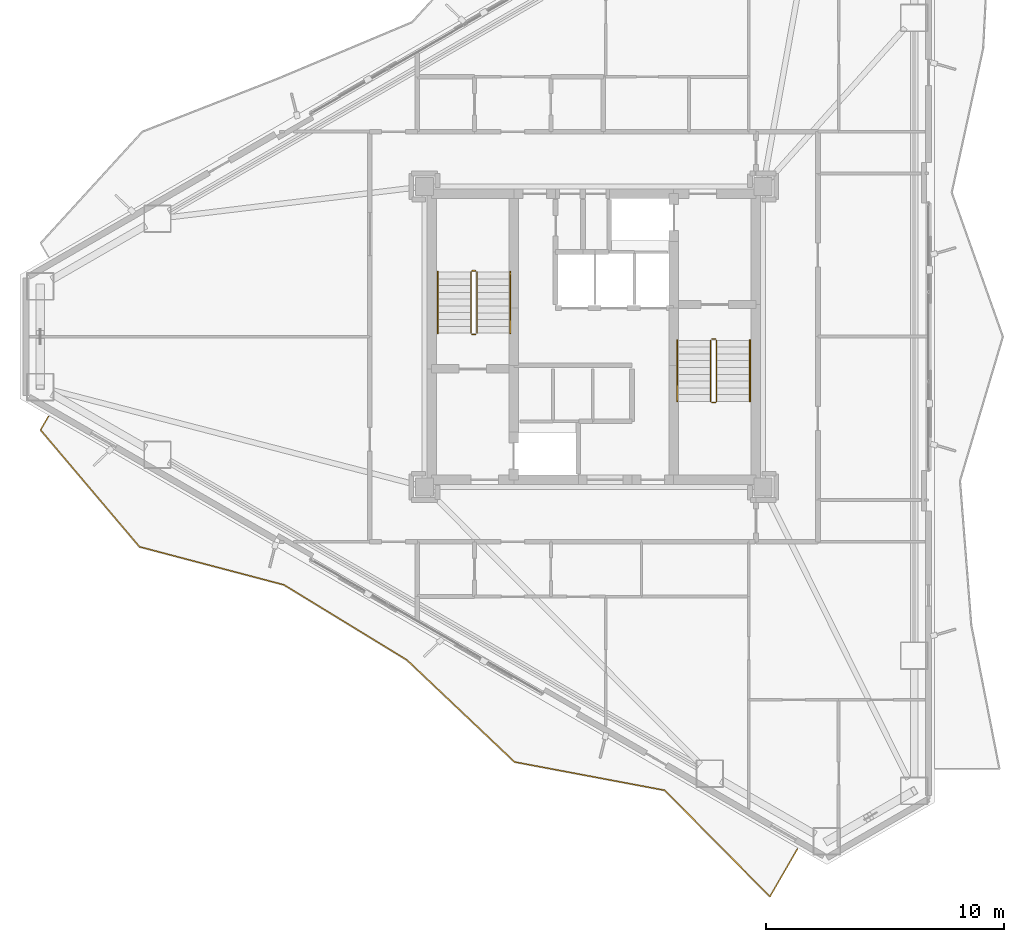
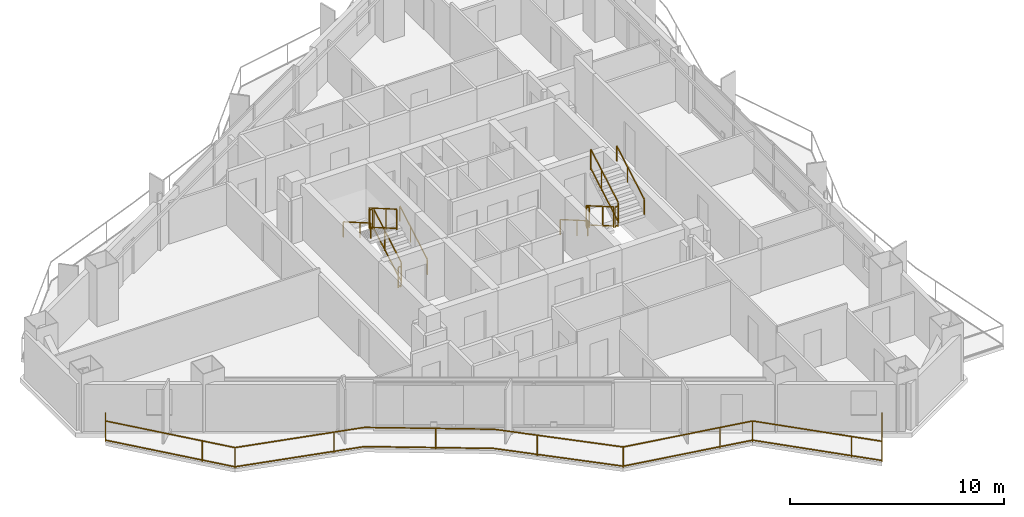
# One storey, part 21 of 22: 13 railings.
"""IFC4 building model written with IfcOpenShell, lengths in metres."""

from ifc_helpers import new_model, si_unit, direction, frame, origin, origin_2d, place, context, subcontext, project, spatial, rectangle, extrude, material, type_object, element, save


model = new_model("IFC4")

# Units and contexts
model_context = context("Model", 3, precision=1e-05, world=origin(), true_north=direction((0.0, 1.0)))
body_context = subcontext(model_context, "Body", "Model", "MODEL_VIEW")
ifc_project = project(units=[si_unit("LENGTHUNIT", "METRE"), si_unit("AREAUNIT", "SQUARE_METRE"), si_unit("VOLUMEUNIT", "CUBIC_METRE"), si_unit("PLANEANGLEUNIT", "RADIAN"), si_unit("MASSUNIT", "GRAM", prefix="KILO")], contexts=[model_context])

# Site, building, storey
site_placement = place(None, origin())
site = spatial("IfcSite", under=ifc_project, at=site_placement, CompositionType="ELEMENT")
building_placement = place(site_placement, origin())
building = spatial("IfcBuilding", under=site, at=building_placement, Name="Mersakhor Tower and Convention Hall", CompositionType="ELEMENT")
storey_placement = place(building_placement, frame((0.0, 0.0, 109.800048828125)))
storey = spatial("IfcBuildingStorey", under=building, at=storey_placement, Name="L30", CompositionType="ELEMENT", Elevation=109.800048828125)

# Railings
ifc_material_1 = material(Name="Powder-coated galvanised steel and laminated glass balustrade", Category="steel")
railing_type_1 = type_object("IfcRailingType", Name="RL-BAL-1200", PredefinedType="BALUSTRADE", material=ifc_material_1)
railing_1_placement = place(storey_placement, frame((6.1240234375, 23.4052734375, 0.0)))
element("IfcRailing", 1, at=railing_1_placement, inside=storey, type_object=railing_type_1, Name="L30 Sinusoidal Balcony Balustrade F3", PredefinedType="BALUSTRADE", context=body_context, shape_type="SweptSolid", body=[
    extrude(rectangle(XDim=0.048095703125, YDim=0.048095703125, at=origin_2d()), frame((0.0, 0.0, 1.17578125), z_axis=(-0.49989585183, -0.866085525409, 0.0), x_axis=(0.866085525409, -0.49989585183, 0.0)), (0.0, 0.0, 1.0), 0.650146484375),
    extrude(rectangle(XDim=0.048095703125, YDim=0.048095703125, at=origin_2d()), frame((0.0, 0.0, 0.080078125), z_axis=(-0.49989585183, -0.866085525409, 0.0), x_axis=(0.866085525409, -0.49989585183, 0.0)), (0.0, 0.0, 1.0), 0.650146484375),
    extrude(rectangle(XDim=0.048095703125, YDim=0.048095703125, at=origin_2d()), frame((-0.324951171875, -0.56298828125, 1.17578125), z_axis=(0.646213090612, -0.763157022848, 0.0), x_axis=(0.763157022848, 0.646213090612, 0.0)), (0.0, 0.0, 1.0), 6.423828125),
    extrude(rectangle(XDim=0.048095703125, YDim=0.048095703125, at=origin_2d()), frame((-0.324951171875, -0.56298828125, 0.080078125), z_axis=(0.646213090612, -0.763157022848, 0.0), x_axis=(0.763157022848, 0.646213090612, 0.0)), (0.0, 0.0, 1.0), 6.423828125),
    extrude(rectangle(XDim=0.048095703125, YDim=0.048095703125, at=origin_2d()), frame((3.826171875, -5.46533203125, 1.17578125), z_axis=(0.967008397633, -0.254744497306, 0.0), x_axis=(0.254744497306, 0.967008397633, 0.0)), (0.0, 0.0, 1.0), 6.266845703125),
    extrude(rectangle(XDim=0.048095703125, YDim=0.048095703125, at=origin_2d()), frame((3.826171875, -5.46533203125, 0.080078125), z_axis=(0.967008397633, -0.254744497306, 0.0), x_axis=(0.254744497306, 0.967008397633, 0.0)), (0.0, 0.0, 1.0), 6.266845703125),
    extrude(rectangle(XDim=0.048095703125, YDim=0.048095703125, at=origin_2d()), frame((9.88623046875, -7.061767578125, 1.17578125), z_axis=(0.853257885244, -0.521489195736, 0.0), x_axis=(0.521489195736, 0.853257885244, 0.0)), (0.0, 0.0, 1.0), 6.048095703125),
    extrude(rectangle(XDim=0.048095703125, YDim=0.048095703125, at=origin_2d()), frame((9.88623046875, -7.061767578125, 0.080078125), z_axis=(0.853257885244, -0.521489195736, 0.0), x_axis=(0.521489195736, 0.853257885244, 0.0)), (0.0, 0.0, 1.0), 6.048095703125),
    extrude(rectangle(XDim=0.048095703125, YDim=0.048095703125, at=origin_2d()), frame((15.046875, -10.2158203125, 1.17578125), z_axis=(0.726031109564, -0.687661855816, 0.0), x_axis=(0.687661855816, 0.726031109564, 0.0)), (0.0, 0.0, 1.0), 6.216552734375),
    extrude(rectangle(XDim=0.048095703125, YDim=0.048095703125, at=origin_2d()), frame((15.046875, -10.2158203125, 0.080078125), z_axis=(0.726031109564, -0.687661855816, 0.0), x_axis=(0.687661855816, 0.726031109564, 0.0)), (0.0, 0.0, 1.0), 6.216552734375),
    extrude(rectangle(XDim=0.048095703125, YDim=0.048095703125, at=origin_2d()), frame((19.560302734375, -14.49072265625, 1.17578125), z_axis=(0.982664928517, -0.185390502084, 0.0), x_axis=(0.185390502084, 0.982664928517, 0.0)), (0.0, 0.0, 1.0), 6.40673828125),
    extrude(rectangle(XDim=0.048095703125, YDim=0.048095703125, at=origin_2d()), frame((19.560302734375, -14.49072265625, 0.080078125), z_axis=(0.982664928517, -0.185390502084, 0.0), x_axis=(0.185390502084, 0.982664928517, 0.0)), (0.0, 0.0, 1.0), 6.40673828125),
    extrude(rectangle(XDim=0.048095703125, YDim=0.048095703125, at=origin_2d()), frame((25.85595703125, -15.678466796875, 1.17578125), z_axis=(0.703299493213, -0.710893679003, 0.0), x_axis=(0.710893679003, 0.703299493213, 0.0)), (0.0, 0.0, 1.0), 6.26904296875),
    extrude(rectangle(XDim=0.048095703125, YDim=0.048095703125, at=origin_2d()), frame((25.85595703125, -15.678466796875, 0.080078125), z_axis=(0.703299493213, -0.710893679003, 0.0), x_axis=(0.710893679003, 0.703299493213, 0.0)), (0.0, 0.0, 1.0), 6.26904296875),
    extrude(rectangle(XDim=0.048095703125, YDim=0.048095703125, at=origin_2d()), frame((30.264892578125, -20.135009765625, 1.17578125), z_axis=(0.499921105357, 0.866070948836, 0.0), x_axis=(-0.866070948836, 0.499921105357, 0.0)), (0.0, 0.0, 1.0), 2.304931640625),
    extrude(rectangle(XDim=0.048095703125, YDim=0.048095703125, at=origin_2d()), frame((30.264892578125, -20.135009765625, 0.080078125), z_axis=(0.499921105357, 0.866070948836, 0.0), x_axis=(-0.866070948836, 0.499921105357, 0.0)), (0.0, 0.0, 1.0), 2.304931640625),
    extrude(rectangle(XDim=0.0419921875, YDim=0.0419921875, at=origin_2d()), origin(), (0.0, 0.0, 1.0), 1.15185546875),
    extrude(rectangle(XDim=0.0419921875, YDim=0.0419921875, at=origin_2d()), frame((-0.324951171875, -0.56298828125, 0.0)), (0.0, 0.0, 1.0), 1.15185546875),
    extrude(rectangle(XDim=0.0419921875, YDim=0.0419921875, at=origin_2d()), frame((2.77685546875, -4.22607421875, 0.0)), (0.0, 0.0, 1.0), 1.15185546875),
    extrude(rectangle(XDim=0.0419921875, YDim=0.0419921875, at=origin_2d()), frame((3.826171875, -5.46533203125, 0.0)), (0.0, 0.0, 1.0), 1.15185546875),
    extrude(rectangle(XDim=0.0419921875, YDim=0.0419921875, at=origin_2d()), frame((8.4677734375, -6.68798828125, 0.0)), (0.0, 0.0, 1.0), 1.15185546875),
    extrude(rectangle(XDim=0.0419921875, YDim=0.0419921875, at=origin_2d()), frame((12.730224609375, -8.800048828125, 0.0)), (0.0, 0.0, 1.0), 1.15185546875),
    extrude(rectangle(XDim=0.0419921875, YDim=0.0419921875, at=origin_2d()), frame((16.560546875, -11.649658203125, 0.0)), (0.0, 0.0, 1.0), 1.15185546875),
    extrude(rectangle(XDim=0.0419921875, YDim=0.0419921875, at=origin_2d()), frame((19.560302734375, -14.49072265625, 0.0)), (0.0, 0.0, 1.0), 1.15185546875),
    extrude(rectangle(XDim=0.0419921875, YDim=0.0419921875, at=origin_2d()), frame((24.277099609375, -15.380615234375, 0.0)), (0.0, 0.0, 1.0), 1.15185546875),
    extrude(rectangle(XDim=0.0419921875, YDim=0.0419921875, at=origin_2d()), frame((25.85595703125, -15.678466796875, 0.0)), (0.0, 0.0, 1.0), 1.15185546875),
    extrude(rectangle(XDim=0.0419921875, YDim=0.0419921875, at=origin_2d()), frame((29.231689453125, -19.0908203125, 0.0)), (0.0, 0.0, 1.0), 1.15185546875),
    extrude(rectangle(XDim=0.0419921875, YDim=0.0419921875, at=origin_2d()), frame((30.264892578125, -20.135009765625, 0.0)), (0.0, 0.0, 1.0), 1.15185546875),
    extrude(rectangle(XDim=0.0419921875, YDim=0.0419921875, at=origin_2d()), frame((31.417236328125, -18.138671875, 0.0)), (0.0, 0.0, 1.0), 1.15185546875),
])
ifc_material_2 = material(Name="Brushed stainless steel handrail", Category="steel")
railing_type_2 = type_object("IfcRailingType", Name="RL-HR-900", PredefinedType="HANDRAIL", material=ifc_material_2)
railing_2_placement = place(storey_placement, frame((25.5, 26.89990234375, 0.1650390625)))
element("IfcRailing", 2, at=railing_2_placement, inside=storey, type_object=railing_type_2, Name="L30 ST-1 stair handrail 1", PredefinedType="HANDRAIL", context=body_context, shape_type="SweptSolid", body=[
    extrude(rectangle(XDim=0.048095703125, YDim=0.048095703125, at=origin_2d()), frame((0.0, 0.0, 0.8759765625), z_axis=(0.0, 0.865461999751, 0.500974577186), x_axis=(-1.0, 0.0, 0.0)), (0.0, 0.0, 1.0), 2.9638671875),
    extrude(rectangle(XDim=0.0419921875, YDim=0.0419921875, at=origin_2d()), origin(), (0.0, 0.0, 1.0), 0.851806640625),
    extrude(rectangle(XDim=0.0419921875, YDim=0.0419921875, at=origin_2d()), frame((0.0, 1.557861328125, 0.90185546875)), (0.0, 0.0, 1.0), 0.851806640625),
    extrude(rectangle(XDim=0.0419921875, YDim=0.0419921875, at=origin_2d()), frame((0.0, 2.565185546875, 1.48486328125)), (0.0, 0.0, 1.0), 0.851806640625),
])
railing_3_placement = place(storey_placement, frame((22.449951171875, 29.465087890625, 1.81494140625)))
element("IfcRailing", 3, at=railing_3_placement, inside=storey, type_object=railing_type_2, Name="L30 ST-1 stair handrail 2", PredefinedType="HANDRAIL", context=body_context, shape_type="SweptSolid", body=[
    extrude(rectangle(XDim=0.048095703125, YDim=0.048095703125, at=origin_2d()), frame((0.0, 0.0, 0.8759765625), z_axis=(0.0, -0.865426285481, 0.501036270542), x_axis=(1.0, 0.0, 0.0)), (0.0, 0.0, 1.0), 2.964111328125),
    extrude(rectangle(XDim=0.0419921875, YDim=0.0419921875, at=origin_2d()), origin(), (0.0, 0.0, 1.0), 0.851806640625),
    extrude(rectangle(XDim=0.0419921875, YDim=0.0419921875, at=origin_2d()), frame((0.0, -1.557861328125, 0.90185546875)), (0.0, 0.0, 1.0), 0.851806640625),
    extrude(rectangle(XDim=0.0419921875, YDim=0.0419921875, at=origin_2d()), frame((0.0, -2.565185546875, 1.485107421875)), (0.0, 0.0, 1.0), 0.851806640625),
])
railing_4_placement = place(storey_placement, frame((32.5, 26.60009765625, 0.1650390625)))
element("IfcRailing", 4, at=railing_4_placement, inside=storey, type_object=railing_type_2, Name="L30 ST-2 stair handrail 1", PredefinedType="HANDRAIL", context=body_context, shape_type="SweptSolid", body=[
    extrude(rectangle(XDim=0.048095703125, YDim=0.048095703125, at=origin_2d()), frame((0.0, 0.0, 0.8759765625), z_axis=(0.0, -0.865461999751, 0.500974577186), x_axis=(1.0, 0.0, 0.0)), (0.0, 0.0, 1.0), 2.9638671875),
    extrude(rectangle(XDim=0.0419921875, YDim=0.0419921875, at=origin_2d()), origin(), (0.0, 0.0, 1.0), 0.851806640625),
    extrude(rectangle(XDim=0.0419921875, YDim=0.0419921875, at=origin_2d()), frame((0.0, -1.557861328125, 0.90185546875)), (0.0, 0.0, 1.0), 0.851806640625),
    extrude(rectangle(XDim=0.0419921875, YDim=0.0419921875, at=origin_2d()), frame((0.0, -2.565185546875, 1.48486328125)), (0.0, 0.0, 1.0), 0.851806640625),
])
railing_5_placement = place(storey_placement, frame((35.550048828125, 24.034912109375, 1.81494140625)))
element("IfcRailing", 5, at=railing_5_placement, inside=storey, type_object=railing_type_2, Name="L30 ST-2 stair handrail 2", PredefinedType="HANDRAIL", context=body_context, shape_type="SweptSolid", body=[
    extrude(rectangle(XDim=0.048095703125, YDim=0.048095703125, at=origin_2d()), frame((0.0, 0.0, 0.8759765625), z_axis=(0.0, 0.865426285481, 0.501036270542), x_axis=(-1.0, 0.0, 0.0)), (0.0, 0.0, 1.0), 2.964111328125),
    extrude(rectangle(XDim=0.0419921875, YDim=0.0419921875, at=origin_2d()), origin(), (0.0, 0.0, 1.0), 0.851806640625),
    extrude(rectangle(XDim=0.0419921875, YDim=0.0419921875, at=origin_2d()), frame((0.0, 1.557861328125, 0.90185546875)), (0.0, 0.0, 1.0), 0.851806640625),
    extrude(rectangle(XDim=0.0419921875, YDim=0.0419921875, at=origin_2d()), frame((0.0, 2.565185546875, 1.485107421875)), (0.0, 0.0, 1.0), 0.851806640625),
])
ifc_material_3 = material(Name="Painted steel stair balustrade S355", Category="steel")
railing_type_3 = type_object("IfcRailingType", Name="RL-STG-1200", PredefinedType="BALUSTRADE", material=ifc_material_3)
railing_6_placement = place(storey_placement, frame((24.10009765625, 26.89990234375, 0.1650390625)))
element("IfcRailing", 6, at=railing_6_placement, inside=storey, type_object=railing_type_3, Name="L30 ST-1 stair guard 1", PredefinedType="BALUSTRADE", context=body_context, shape_type="SweptSolid", body=[
    extrude(rectangle(XDim=0.048095703125, YDim=0.048095703125, at=origin_2d()), frame((0.0, 0.0, 1.17578125), z_axis=(0.0, 0.865461999751, 0.500974577186), x_axis=(-1.0, 0.0, 0.0)), (0.0, 0.0, 1.0), 2.9638671875),
    extrude(rectangle(XDim=0.048095703125, YDim=0.048095703125, at=origin_2d()), frame((0.0, 0.0, 0.080078125), z_axis=(0.0, 0.865461999751, 0.500974577186), x_axis=(-1.0, 0.0, 0.0)), (0.0, 0.0, 1.0), 2.9638671875),
    extrude(rectangle(XDim=0.0419921875, YDim=0.0419921875, at=origin_2d()), origin(), (0.0, 0.0, 1.0), 1.15185546875),
    extrude(rectangle(XDim=0.0419921875, YDim=0.0419921875, at=origin_2d()), frame((0.0, 1.557861328125, 0.90185546875)), (0.0, 0.0, 1.0), 1.15185546875),
    extrude(rectangle(XDim=0.0419921875, YDim=0.0419921875, at=origin_2d()), frame((0.0, 2.565185546875, 1.48486328125)), (0.0, 0.0, 1.0), 1.15185546875),
])
railing_7_placement = place(storey_placement, frame((24.050048828125, 29.514892578125, 1.64990234375)))
element("IfcRailing", 7, at=railing_7_placement, inside=storey, type_object=railing_type_3, Name="L30 ST-1 stair guard 2", PredefinedType="BALUSTRADE", context=body_context, shape_type="SweptSolid", body=[
    extrude(rectangle(XDim=0.048095703125, YDim=0.048095703125, at=origin_2d()), frame((0.0, 0.0, 1.17578125), z_axis=(-1.0, 0.0, 0.0), x_axis=(0.0, -1.0, 0.0)), (0.0, 0.0, 1.0), 0.150146484375),
    extrude(rectangle(XDim=0.048095703125, YDim=0.048095703125, at=origin_2d()), frame((0.0, 0.0, 0.080078125), z_axis=(-1.0, 0.0, 0.0), x_axis=(0.0, -1.0, 0.0)), (0.0, 0.0, 1.0), 0.150146484375),
    extrude(rectangle(XDim=0.0419921875, YDim=0.0419921875, at=origin_2d()), origin(), (0.0, 0.0, 1.0), 1.15185546875),
    extrude(rectangle(XDim=0.0419921875, YDim=0.0419921875, at=origin_2d()), frame((-0.150146484375, 0.0, 0.0)), (0.0, 0.0, 1.0), 1.15185546875),
])
railing_8_placement = place(storey_placement, frame((23.85009765625, 29.465087890625, 1.81494140625)))
element("IfcRailing", 8, at=railing_8_placement, inside=storey, type_object=railing_type_3, Name="L30 ST-1 stair guard 3", PredefinedType="BALUSTRADE", context=body_context, shape_type="SweptSolid", body=[
    extrude(rectangle(XDim=0.048095703125, YDim=0.048095703125, at=origin_2d()), frame((0.0, 0.0, 1.17578125), z_axis=(0.0, -0.865426285481, 0.501036270542), x_axis=(1.0, 0.0, 0.0)), (0.0, 0.0, 1.0), 2.964111328125),
    extrude(rectangle(XDim=0.048095703125, YDim=0.048095703125, at=origin_2d()), frame((0.0, 0.0, 0.080078125), z_axis=(0.0, -0.865426285481, 0.501036270542), x_axis=(1.0, 0.0, 0.0)), (0.0, 0.0, 1.0), 2.964111328125),
    extrude(rectangle(XDim=0.0419921875, YDim=0.0419921875, at=origin_2d()), origin(), (0.0, 0.0, 1.0), 1.15185546875),
    extrude(rectangle(XDim=0.0419921875, YDim=0.0419921875, at=origin_2d()), frame((0.0, -1.557861328125, 0.90185546875)), (0.0, 0.0, 1.0), 1.15185546875),
    extrude(rectangle(XDim=0.0419921875, YDim=0.0419921875, at=origin_2d()), frame((0.0, -2.565185546875, 1.485107421875)), (0.0, 0.0, 1.0), 1.15185546875),
])
railing_9_placement = place(storey_placement, frame((24.050048828125, 26.85009765625, 0.0)))
element("IfcRailing", 9, at=railing_9_placement, inside=storey, type_object=railing_type_3, Name="L30 ST-1 stair guard 4", PredefinedType="BALUSTRADE", context=body_context, shape_type="SweptSolid", body=[
    extrude(rectangle(XDim=0.048095703125, YDim=0.048095703125, at=origin_2d()), frame((0.0, 0.0, 1.17578125), z_axis=(-1.0, 0.0, 0.0), x_axis=(0.0, -1.0, 0.0)), (0.0, 0.0, 1.0), 0.150146484375),
    extrude(rectangle(XDim=0.048095703125, YDim=0.048095703125, at=origin_2d()), frame((0.0, 0.0, 0.080078125), z_axis=(-1.0, 0.0, 0.0), x_axis=(0.0, -1.0, 0.0)), (0.0, 0.0, 1.0), 0.150146484375),
    extrude(rectangle(XDim=0.0419921875, YDim=0.0419921875, at=origin_2d()), origin(), (0.0, 0.0, 1.0), 1.15185546875),
    extrude(rectangle(XDim=0.0419921875, YDim=0.0419921875, at=origin_2d()), frame((-0.150146484375, 0.0, 0.0)), (0.0, 0.0, 1.0), 1.15185546875),
])
railing_10_placement = place(storey_placement, frame((33.89990234375, 26.60009765625, 0.1650390625)))
element("IfcRailing", 10, at=railing_10_placement, inside=storey, type_object=railing_type_3, Name="L30 ST-2 stair guard 1", PredefinedType="BALUSTRADE", context=body_context, shape_type="SweptSolid", body=[
    extrude(rectangle(XDim=0.048095703125, YDim=0.048095703125, at=origin_2d()), frame((0.0, 0.0, 1.17578125), z_axis=(0.0, -0.865461999751, 0.500974577186), x_axis=(1.0, 0.0, 0.0)), (0.0, 0.0, 1.0), 2.9638671875),
    extrude(rectangle(XDim=0.048095703125, YDim=0.048095703125, at=origin_2d()), frame((0.0, 0.0, 0.080078125), z_axis=(0.0, -0.865461999751, 0.500974577186), x_axis=(1.0, 0.0, 0.0)), (0.0, 0.0, 1.0), 2.9638671875),
    extrude(rectangle(XDim=0.0419921875, YDim=0.0419921875, at=origin_2d()), origin(), (0.0, 0.0, 1.0), 1.15185546875),
    extrude(rectangle(XDim=0.0419921875, YDim=0.0419921875, at=origin_2d()), frame((0.0, -1.557861328125, 0.90185546875)), (0.0, 0.0, 1.0), 1.15185546875),
    extrude(rectangle(XDim=0.0419921875, YDim=0.0419921875, at=origin_2d()), frame((0.0, -2.565185546875, 1.48486328125)), (0.0, 0.0, 1.0), 1.15185546875),
])
railing_11_placement = place(storey_placement, frame((33.949951171875, 23.985107421875, 1.64990234375)))
element("IfcRailing", 11, at=railing_11_placement, inside=storey, type_object=railing_type_3, Name="L30 ST-2 stair guard 2", PredefinedType="BALUSTRADE", context=body_context, shape_type="SweptSolid", body=[
    extrude(rectangle(XDim=0.048095703125, YDim=0.048095703125, at=origin_2d()), frame((0.0, 0.0, 1.17578125), z_axis=(1.0, 0.0, 0.0), x_axis=(0.0, 1.0, 0.0)), (0.0, 0.0, 1.0), 0.150146484375),
    extrude(rectangle(XDim=0.048095703125, YDim=0.048095703125, at=origin_2d()), frame((0.0, 0.0, 0.080078125), z_axis=(1.0, 0.0, 0.0), x_axis=(0.0, 1.0, 0.0)), (0.0, 0.0, 1.0), 0.150146484375),
    extrude(rectangle(XDim=0.0419921875, YDim=0.0419921875, at=origin_2d()), origin(), (0.0, 0.0, 1.0), 1.15185546875),
    extrude(rectangle(XDim=0.0419921875, YDim=0.0419921875, at=origin_2d()), frame((0.150146484375, 0.0, 0.0)), (0.0, 0.0, 1.0), 1.15185546875),
])
railing_12_placement = place(storey_placement, frame((34.14990234375, 24.034912109375, 1.81494140625)))
element("IfcRailing", 12, at=railing_12_placement, inside=storey, type_object=railing_type_3, Name="L30 ST-2 stair guard 3", PredefinedType="BALUSTRADE", context=body_context, shape_type="SweptSolid", body=[
    extrude(rectangle(XDim=0.048095703125, YDim=0.048095703125, at=origin_2d()), frame((0.0, 0.0, 1.17578125), z_axis=(0.0, 0.865426285481, 0.501036270542), x_axis=(-1.0, 0.0, 0.0)), (0.0, 0.0, 1.0), 2.964111328125),
    extrude(rectangle(XDim=0.048095703125, YDim=0.048095703125, at=origin_2d()), frame((0.0, 0.0, 0.080078125), z_axis=(0.0, 0.865426285481, 0.501036270542), x_axis=(-1.0, 0.0, 0.0)), (0.0, 0.0, 1.0), 2.964111328125),
    extrude(rectangle(XDim=0.0419921875, YDim=0.0419921875, at=origin_2d()), origin(), (0.0, 0.0, 1.0), 1.15185546875),
    extrude(rectangle(XDim=0.0419921875, YDim=0.0419921875, at=origin_2d()), frame((0.0, 1.557861328125, 0.90185546875)), (0.0, 0.0, 1.0), 1.15185546875),
    extrude(rectangle(XDim=0.0419921875, YDim=0.0419921875, at=origin_2d()), frame((0.0, 2.565185546875, 1.485107421875)), (0.0, 0.0, 1.0), 1.15185546875),
])
railing_13_placement = place(storey_placement, frame((33.949951171875, 26.64990234375, 0.0)))
element("IfcRailing", 13, at=railing_13_placement, inside=storey, type_object=railing_type_3, Name="L30 ST-2 stair guard 4", PredefinedType="BALUSTRADE", context=body_context, shape_type="SweptSolid", body=[
    extrude(rectangle(XDim=0.048095703125, YDim=0.048095703125, at=origin_2d()), frame((0.0, 0.0, 1.17578125), z_axis=(1.0, 0.0, 0.0), x_axis=(0.0, 1.0, 0.0)), (0.0, 0.0, 1.0), 0.150146484375),
    extrude(rectangle(XDim=0.048095703125, YDim=0.048095703125, at=origin_2d()), frame((0.0, 0.0, 0.080078125), z_axis=(1.0, 0.0, 0.0), x_axis=(0.0, 1.0, 0.0)), (0.0, 0.0, 1.0), 0.150146484375),
    extrude(rectangle(XDim=0.0419921875, YDim=0.0419921875, at=origin_2d()), origin(), (0.0, 0.0, 1.0), 1.15185546875),
    extrude(rectangle(XDim=0.0419921875, YDim=0.0419921875, at=origin_2d()), frame((0.150146484375, 0.0, 0.0)), (0.0, 0.0, 1.0), 1.15185546875),
])

save(model, "model.ifc")
